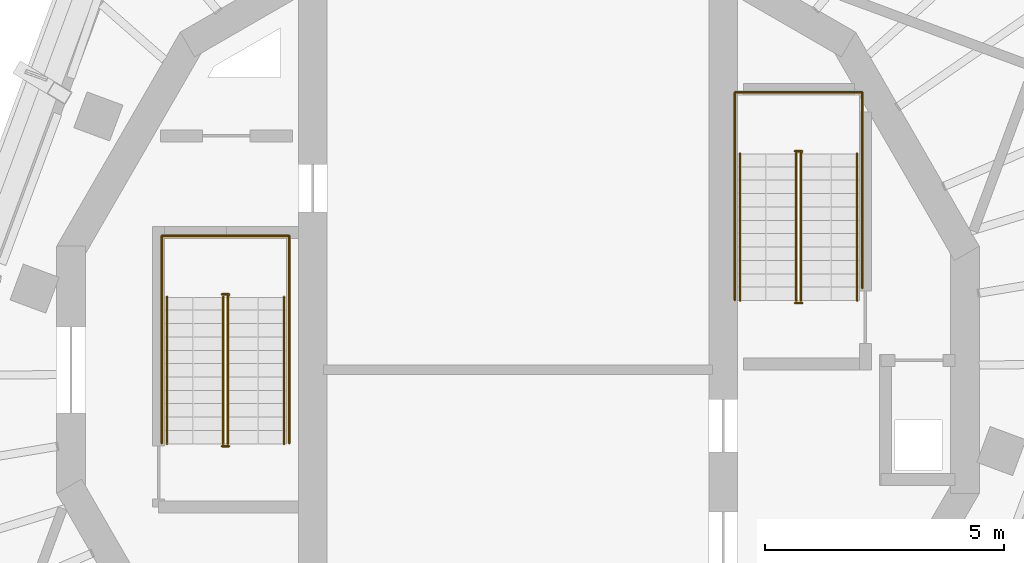
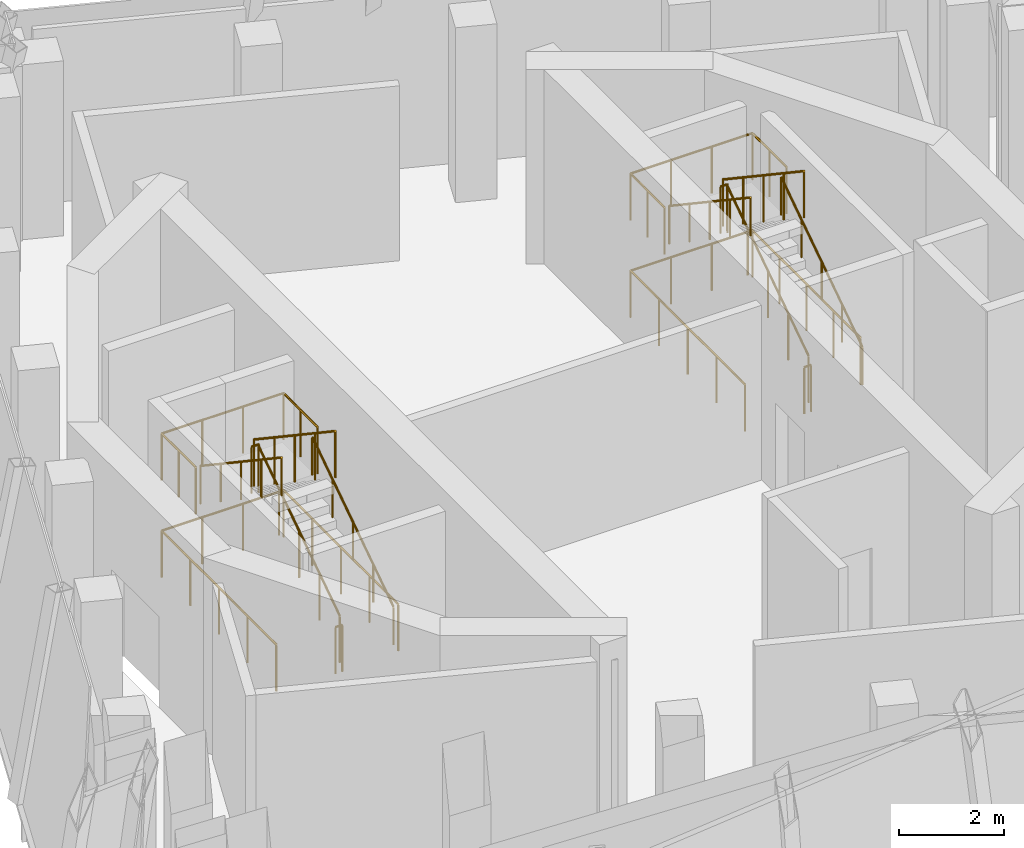
# One storey, part 11 of 11: 14 railings.
"""IFC4 building model written with IfcOpenShell, lengths in metres."""

from ifc_helpers import new_model, si_unit, direction, frame, origin, origin_2d, place, context, subcontext, project, spatial, circle, extrude, material, type_object, element, save


model = new_model("IFC4")

# Units and contexts
model_context = context("Model", 3, precision=1e-05, world=origin(), true_north=direction((0.0, 1.0)))
body_context = subcontext(model_context, "Body", "Model", "MODEL_VIEW")
ifc_project = project(units=[si_unit("LENGTHUNIT", "METRE"), si_unit("AREAUNIT", "SQUARE_METRE"), si_unit("VOLUMEUNIT", "CUBIC_METRE"), si_unit("PLANEANGLEUNIT", "RADIAN"), si_unit("MASSUNIT", "GRAM", prefix="KILO")], contexts=[model_context])

# Site, building, storey
site_placement = place(None, origin())
site = spatial("IfcSite", under=ifc_project, at=site_placement, CompositionType="ELEMENT")
building_placement = place(site_placement, origin())
building = spatial("IfcBuilding", under=site, at=building_placement, Name="Cantera Rosa Tower", CompositionType="ELEMENT")
storey_placement = place(building_placement, frame((0.0, 0.0, 365.199951171875)))
storey = spatial("IfcBuildingStorey", under=building, at=storey_placement, Name="L82", CompositionType="ELEMENT", Elevation=365.199951171875)

# Railings
ifc_material_1 = material(Name="Steel S355J2 (EN 10025-2)", Category="steel")
railing_type_1 = type_object("IfcRailingType", Name="STAIR GUARD 1100", PredefinedType="GUARDRAIL", material=ifc_material_1)
railing_1_placement = place(storey_placement, frame((-6.075927734375, -1.550048828125, 0.1875)))
element("IfcRailing", 1, at=railing_1_placement, inside=storey, type_object=railing_type_1, Name="L82 ST-71 stair guard 1", PredefinedType="GUARDRAIL", context=body_context, shape_type="SweptSolid", body=[
    extrude(circle(Radius=0.02392578125, at=origin_2d()), frame((0.0, 0.0, 1.076171875), z_axis=(0.0, 0.830913701846, 0.55640131208), x_axis=(-1.0, 0.0, 0.0)), (0.0, 0.0, 1.0), 3.706787109375),
    extrude(circle(Radius=0.02392578125, at=origin_2d()), frame((0.0, 3.080078125, 3.138671875), z_axis=(0.459305035911, 0.888278607187, 0.0), x_axis=(-0.888278607187, 0.459305035911, 0.0)), (0.0, 0.0, 1.0), 0.056396484375),
    extrude(circle(Radius=0.02392578125, at=origin_2d()), frame((0.02587890625, 3.130126953125, 3.138671875), z_axis=(-1.0, 0.0, 0.0), x_axis=(0.0, -1.0, 0.0)), (0.0, 0.0, 1.0), 0.14990234375),
    extrude(circle(Radius=0.02099609375, at=origin_2d()), origin(), (0.0, 0.0, 1.0), 1.052001953125),
    extrude(circle(Radius=0.02099609375, at=origin_2d()), frame((0.0, 0.77001953125, 0.515625)), (0.0, 0.0, 1.0), 1.052001953125),
    extrude(circle(Radius=0.02099609375, at=origin_2d()), frame((0.0, 1.5400390625, 1.03125)), (0.0, 0.0, 1.0), 1.052001953125),
    extrude(circle(Radius=0.02099609375, at=origin_2d()), frame((0.0, 2.31005859375, 1.546875)), (0.0, 0.0, 1.0), 1.052001953125),
    extrude(circle(Radius=0.02099609375, at=origin_2d()), frame((0.0, 3.080078125, 2.0625)), (0.0, 0.0, 1.0), 1.052001953125),
    extrude(circle(Radius=0.02099609375, at=origin_2d()), frame((0.02587890625, 3.130126953125, 2.0625)), (0.0, 0.0, 1.0), 1.052001953125),
    extrude(circle(Radius=0.02099609375, at=origin_2d()), frame((-0.1240234375, 3.130126953125, 2.0625)), (0.0, 0.0, 1.0), 1.052001953125),
])
railing_2_placement = place(storey_placement, frame((-6.174072265625, 1.530029296875, 2.4375)))
element("IfcRailing", 2, at=railing_2_placement, inside=storey, type_object=railing_type_1, Name="L82 ST-71 stair guard 2", PredefinedType="GUARDRAIL", context=body_context, shape_type="SweptSolid", body=[
    extrude(circle(Radius=0.02392578125, at=origin_2d()), frame((0.0, 0.0, 1.076171875), z_axis=(0.0, -0.830913701846, 0.55640131208), x_axis=(1.0, 0.0, 0.0)), (0.0, 0.0, 1.0), 3.706787109375),
    extrude(circle(Radius=0.02099609375, at=origin_2d()), origin(), (0.0, 0.0, 1.0), 1.052001953125),
    extrude(circle(Radius=0.02099609375, at=origin_2d()), frame((0.0, -0.77001953125, 0.515625)), (0.0, 0.0, 1.0), 1.052001953125),
    extrude(circle(Radius=0.02099609375, at=origin_2d()), frame((0.0, -1.5400390625, 1.03125)), (0.0, 0.0, 1.0), 1.052001953125),
    extrude(circle(Radius=0.02099609375, at=origin_2d()), frame((0.0, -2.31005859375, 1.546875)), (0.0, 0.0, 1.0), 1.052001953125),
    extrude(circle(Radius=0.02099609375, at=origin_2d()), frame((0.0, -3.080078125, 2.0625)), (0.0, 0.0, 1.0), 1.052001953125),
])
railing_3_placement = place(storey_placement, frame((-6.050048828125, -1.60009765625, 0.0)))
element("IfcRailing", 3, at=railing_3_placement, inside=storey, type_object=railing_type_1, Name="L82 ST-71 stair guard 3", PredefinedType="GUARDRAIL", context=body_context, shape_type="SweptSolid", body=[
    extrude(circle(Radius=0.02392578125, at=origin_2d()), frame((0.0, 0.0, 1.076171875), z_axis=(-1.0, 0.0, 0.0), x_axis=(0.0, -1.0, 0.0)), (0.0, 0.0, 1.0), 0.14990234375),
    extrude(circle(Radius=0.02099609375, at=origin_2d()), origin(), (0.0, 0.0, 1.0), 1.052001953125),
    extrude(circle(Radius=0.02099609375, at=origin_2d()), frame((-0.14990234375, 0.0, 0.0)), (0.0, 0.0, 1.0), 1.052001953125),
])
railing_4_placement = place(storey_placement, frame((-4.7900390625, -1.5380859375, 0.0)))
element("IfcRailing", 4, at=railing_4_placement, inside=storey, type_object=railing_type_1, Name="L82 ST-71 stair guard 4", PredefinedType="GUARDRAIL", context=body_context, shape_type="SweptSolid", body=[
    extrude(circle(Radius=0.02392578125, at=origin_2d()), frame((0.0, 0.0, 1.076171875), z_axis=(0.0, 1.0, 0.0), x_axis=(-1.0, 0.0, 0.0)), (0.0, 0.0, 1.0), 4.34814453125),
    extrude(circle(Radius=0.02392578125, at=origin_2d()), frame((0.0, 4.34814453125, 1.076171875), z_axis=(-1.0, 0.0, 0.0), x_axis=(0.0, -1.0, 0.0)), (0.0, 0.0, 1.0), 2.669921875),
    extrude(circle(Radius=0.02392578125, at=origin_2d()), frame((-2.669921875, 4.34814453125, 1.076171875), z_axis=(0.0, -1.0, 0.0), x_axis=(1.0, 0.0, 0.0)), (0.0, 0.0, 1.0), 4.34814453125),
    extrude(circle(Radius=0.02099609375, at=origin_2d()), origin(), (0.0, 0.0, 1.0), 1.052001953125),
    extrude(circle(Radius=0.02099609375, at=origin_2d()), frame((0.0, 1.0869140625, 0.0)), (0.0, 0.0, 1.0), 1.052001953125),
    extrude(circle(Radius=0.02099609375, at=origin_2d()), frame((0.0, 2.174072265625, 0.0)), (0.0, 0.0, 1.0), 1.052001953125),
    extrude(circle(Radius=0.02099609375, at=origin_2d()), frame((0.0, 3.26123046875, 0.0)), (0.0, 0.0, 1.0), 1.052001953125),
    extrude(circle(Radius=0.02099609375, at=origin_2d()), frame((0.0, 4.34814453125, 0.0)), (0.0, 0.0, 1.0), 1.052001953125),
    extrude(circle(Radius=0.02099609375, at=origin_2d()), frame((-0.889892578125, 4.34814453125, 0.0)), (0.0, 0.0, 1.0), 1.052001953125),
    extrude(circle(Radius=0.02099609375, at=origin_2d()), frame((-1.780029296875, 4.34814453125, 0.0)), (0.0, 0.0, 1.0), 1.052001953125),
    extrude(circle(Radius=0.02099609375, at=origin_2d()), frame((-2.669921875, 4.34814453125, 0.0)), (0.0, 0.0, 1.0), 1.052001953125),
    extrude(circle(Radius=0.02099609375, at=origin_2d()), frame((-2.669921875, 3.26123046875, 0.0)), (0.0, 0.0, 1.0), 1.052001953125),
    extrude(circle(Radius=0.02099609375, at=origin_2d()), frame((-2.669921875, 2.174072265625, 0.0)), (0.0, 0.0, 1.0), 1.052001953125),
    extrude(circle(Radius=0.02099609375, at=origin_2d()), frame((-2.669921875, 1.0869140625, 0.0)), (0.0, 0.0, 1.0), 1.052001953125),
    extrude(circle(Radius=0.02099609375, at=origin_2d()), frame((-2.669921875, 0.0, 0.0)), (0.0, 0.0, 1.0), 1.052001953125),
])
railing_5_placement = place(storey_placement, frame((-4.7900390625, 1.51806640625, 2.25)))
element("IfcRailing", 5, at=railing_5_placement, inside=storey, type_object=railing_type_1, Name="L82 ST-71 stair guard 5", PredefinedType="GUARDRAIL", context=body_context, shape_type="SweptSolid", body=[
    extrude(circle(Radius=0.02392578125, at=origin_2d()), frame((0.0, 0.0, 1.076171875), z_axis=(0.0, 1.0, 0.0), x_axis=(-1.0, 0.0, 0.0)), (0.0, 0.0, 1.0), 1.2919921875),
    extrude(circle(Radius=0.02392578125, at=origin_2d()), frame((0.0, 1.2919921875, 1.076171875), z_axis=(-1.0, 0.0, 0.0), x_axis=(0.0, -1.0, 0.0)), (0.0, 0.0, 1.0), 2.669921875),
    extrude(circle(Radius=0.02392578125, at=origin_2d()), frame((-2.669921875, 1.2919921875, 1.076171875), z_axis=(0.0, -1.0, 0.0), x_axis=(1.0, 0.0, 0.0)), (0.0, 0.0, 1.0), 1.2919921875),
    extrude(circle(Radius=0.02099609375, at=origin_2d()), origin(), (0.0, 0.0, 1.0), 1.052001953125),
    extrude(circle(Radius=0.02099609375, at=origin_2d()), frame((0.0, 0.64599609375, 0.0)), (0.0, 0.0, 1.0), 1.052001953125),
    extrude(circle(Radius=0.02099609375, at=origin_2d()), frame((0.0, 1.2919921875, 0.0)), (0.0, 0.0, 1.0), 1.052001953125),
    extrude(circle(Radius=0.02099609375, at=origin_2d()), frame((-0.889892578125, 1.2919921875, 0.0)), (0.0, 0.0, 1.0), 1.052001953125),
    extrude(circle(Radius=0.02099609375, at=origin_2d()), frame((-1.780029296875, 1.2919921875, 0.0)), (0.0, 0.0, 1.0), 1.052001953125),
    extrude(circle(Radius=0.02099609375, at=origin_2d()), frame((-2.669921875, 1.2919921875, 0.0)), (0.0, 0.0, 1.0), 1.052001953125),
    extrude(circle(Radius=0.02099609375, at=origin_2d()), frame((-2.669921875, 0.64599609375, 0.0)), (0.0, 0.0, 1.0), 1.052001953125),
    extrude(circle(Radius=0.02099609375, at=origin_2d()), frame((-2.669921875, 0.0, 0.0)), (0.0, 0.0, 1.0), 1.052001953125),
])
railing_6_placement = place(storey_placement, frame((5.924072265625, 1.449951171875, 0.1875)))
element("IfcRailing", 6, at=railing_6_placement, inside=storey, type_object=railing_type_1, Name="L82 ST-72 stair guard 1", PredefinedType="GUARDRAIL", context=body_context, shape_type="SweptSolid", body=[
    extrude(circle(Radius=0.02392578125, at=origin_2d()), frame((0.0, 0.0, 1.076171875), z_axis=(0.0, 0.830913701846, 0.55640131208), x_axis=(-1.0, 0.0, 0.0)), (0.0, 0.0, 1.0), 3.706787109375),
    extrude(circle(Radius=0.02392578125, at=origin_2d()), frame((0.0, 3.080078125, 3.138671875), z_axis=(0.459305035911, 0.888278607187, 0.0), x_axis=(-0.888278607187, 0.459305035911, 0.0)), (0.0, 0.0, 1.0), 0.056396484375),
    extrude(circle(Radius=0.02392578125, at=origin_2d()), frame((0.02587890625, 3.130126953125, 3.138671875), z_axis=(-1.0, 0.0, 0.0), x_axis=(0.0, -1.0, 0.0)), (0.0, 0.0, 1.0), 0.14990234375),
    extrude(circle(Radius=0.02099609375, at=origin_2d()), origin(), (0.0, 0.0, 1.0), 1.052001953125),
    extrude(circle(Radius=0.02099609375, at=origin_2d()), frame((0.0, 0.77001953125, 0.515625)), (0.0, 0.0, 1.0), 1.052001953125),
    extrude(circle(Radius=0.02099609375, at=origin_2d()), frame((0.0, 1.5400390625, 1.03125)), (0.0, 0.0, 1.0), 1.052001953125),
    extrude(circle(Radius=0.02099609375, at=origin_2d()), frame((0.0, 2.31005859375, 1.546875)), (0.0, 0.0, 1.0), 1.052001953125),
    extrude(circle(Radius=0.02099609375, at=origin_2d()), frame((0.0, 3.080078125, 2.0625)), (0.0, 0.0, 1.0), 1.052001953125),
    extrude(circle(Radius=0.02099609375, at=origin_2d()), frame((0.02587890625, 3.130126953125, 2.0625)), (0.0, 0.0, 1.0), 1.052001953125),
    extrude(circle(Radius=0.02099609375, at=origin_2d()), frame((-0.1240234375, 3.130126953125, 2.0625)), (0.0, 0.0, 1.0), 1.052001953125),
])
railing_7_placement = place(storey_placement, frame((5.825927734375, 4.530029296875, 2.4375)))
element("IfcRailing", 7, at=railing_7_placement, inside=storey, type_object=railing_type_1, Name="L82 ST-72 stair guard 2", PredefinedType="GUARDRAIL", context=body_context, shape_type="SweptSolid", body=[
    extrude(circle(Radius=0.02392578125, at=origin_2d()), frame((0.0, 0.0, 1.076171875), z_axis=(0.0, -0.830913701846, 0.55640131208), x_axis=(1.0, 0.0, 0.0)), (0.0, 0.0, 1.0), 3.706787109375),
    extrude(circle(Radius=0.02099609375, at=origin_2d()), origin(), (0.0, 0.0, 1.0), 1.052001953125),
    extrude(circle(Radius=0.02099609375, at=origin_2d()), frame((0.0, -0.77001953125, 0.515625)), (0.0, 0.0, 1.0), 1.052001953125),
    extrude(circle(Radius=0.02099609375, at=origin_2d()), frame((0.0, -1.5400390625, 1.03125)), (0.0, 0.0, 1.0), 1.052001953125),
    extrude(circle(Radius=0.02099609375, at=origin_2d()), frame((0.0, -2.31005859375, 1.546875)), (0.0, 0.0, 1.0), 1.052001953125),
    extrude(circle(Radius=0.02099609375, at=origin_2d()), frame((0.0, -3.080078125, 2.0625)), (0.0, 0.0, 1.0), 1.052001953125),
])
railing_8_placement = place(storey_placement, frame((5.949951171875, 1.39990234375, 0.0)))
element("IfcRailing", 8, at=railing_8_placement, inside=storey, type_object=railing_type_1, Name="L82 ST-72 stair guard 3", PredefinedType="GUARDRAIL", context=body_context, shape_type="SweptSolid", body=[
    extrude(circle(Radius=0.02392578125, at=origin_2d()), frame((0.0, 0.0, 1.076171875), z_axis=(-1.0, 0.0, 0.0), x_axis=(0.0, -1.0, 0.0)), (0.0, 0.0, 1.0), 0.14990234375),
    extrude(circle(Radius=0.02099609375, at=origin_2d()), origin(), (0.0, 0.0, 1.0), 1.052001953125),
    extrude(circle(Radius=0.02099609375, at=origin_2d()), frame((-0.14990234375, 0.0, 0.0)), (0.0, 0.0, 1.0), 1.052001953125),
])
railing_9_placement = place(storey_placement, frame((7.2099609375, 1.7099609375, 0.0)))
element("IfcRailing", 9, at=railing_9_placement, inside=storey, type_object=railing_type_1, Name="L82 ST-72 stair guard 4", PredefinedType="GUARDRAIL", context=body_context, shape_type="SweptSolid", body=[
    extrude(circle(Radius=0.02392578125, at=origin_2d()), frame((0.0, 0.0, 1.076171875), z_axis=(0.0, 1.0, 0.0), x_axis=(-1.0, 0.0, 0.0)), (0.0, 0.0, 1.0), 4.10009765625),
    extrude(circle(Radius=0.02392578125, at=origin_2d()), frame((0.0, 4.10009765625, 1.076171875), z_axis=(-1.0, 0.0, 0.0), x_axis=(0.0, -1.0, 0.0)), (0.0, 0.0, 1.0), 2.669921875),
    extrude(circle(Radius=0.02392578125, at=origin_2d()), frame((-2.669921875, 4.10009765625, 1.076171875), z_axis=(0.0, -1.0, 0.0), x_axis=(1.0, 0.0, 0.0)), (0.0, 0.0, 1.0), 4.34814453125),
    extrude(circle(Radius=0.02099609375, at=origin_2d()), origin(), (0.0, 0.0, 1.0), 1.052001953125),
    extrude(circle(Radius=0.02099609375, at=origin_2d()), frame((0.0, 1.02490234375, 0.0)), (0.0, 0.0, 1.0), 1.052001953125),
    extrude(circle(Radius=0.02099609375, at=origin_2d()), frame((0.0, 2.050048828125, 0.0)), (0.0, 0.0, 1.0), 1.052001953125),
    extrude(circle(Radius=0.02099609375, at=origin_2d()), frame((0.0, 3.0751953125, 0.0)), (0.0, 0.0, 1.0), 1.052001953125),
    extrude(circle(Radius=0.02099609375, at=origin_2d()), frame((0.0, 4.10009765625, 0.0)), (0.0, 0.0, 1.0), 1.052001953125),
    extrude(circle(Radius=0.02099609375, at=origin_2d()), frame((-0.889892578125, 4.10009765625, 0.0)), (0.0, 0.0, 1.0), 1.052001953125),
    extrude(circle(Radius=0.02099609375, at=origin_2d()), frame((-1.780029296875, 4.10009765625, 0.0)), (0.0, 0.0, 1.0), 1.052001953125),
    extrude(circle(Radius=0.02099609375, at=origin_2d()), frame((-2.669921875, 4.10009765625, 0.0)), (0.0, 0.0, 1.0), 1.052001953125),
    extrude(circle(Radius=0.02099609375, at=origin_2d()), frame((-2.669921875, 3.01318359375, 0.0)), (0.0, 0.0, 1.0), 1.052001953125),
    extrude(circle(Radius=0.02099609375, at=origin_2d()), frame((-2.669921875, 1.926025390625, 0.0)), (0.0, 0.0, 1.0), 1.052001953125),
    extrude(circle(Radius=0.02099609375, at=origin_2d()), frame((-2.669921875, 0.8388671875, 0.0)), (0.0, 0.0, 1.0), 1.052001953125),
    extrude(circle(Radius=0.02099609375, at=origin_2d()), frame((-2.669921875, -0.248046875, 0.0)), (0.0, 0.0, 1.0), 1.052001953125),
])
railing_10_placement = place(storey_placement, frame((7.2099609375, 4.51806640625, 2.25)))
element("IfcRailing", 10, at=railing_10_placement, inside=storey, type_object=railing_type_1, Name="L82 ST-72 stair guard 5", PredefinedType="GUARDRAIL", context=body_context, shape_type="SweptSolid", body=[
    extrude(circle(Radius=0.02392578125, at=origin_2d()), frame((0.0, 0.0, 1.076171875), z_axis=(0.0, 1.0, 0.0), x_axis=(-1.0, 0.0, 0.0)), (0.0, 0.0, 1.0), 1.2919921875),
    extrude(circle(Radius=0.02392578125, at=origin_2d()), frame((0.0, 1.2919921875, 1.076171875), z_axis=(-1.0, 0.0, 0.0), x_axis=(0.0, -1.0, 0.0)), (0.0, 0.0, 1.0), 2.669921875),
    extrude(circle(Radius=0.02392578125, at=origin_2d()), frame((-2.669921875, 1.2919921875, 1.076171875), z_axis=(0.0, -1.0, 0.0), x_axis=(1.0, 0.0, 0.0)), (0.0, 0.0, 1.0), 1.2919921875),
    extrude(circle(Radius=0.02099609375, at=origin_2d()), origin(), (0.0, 0.0, 1.0), 1.052001953125),
    extrude(circle(Radius=0.02099609375, at=origin_2d()), frame((0.0, 0.64599609375, 0.0)), (0.0, 0.0, 1.0), 1.052001953125),
    extrude(circle(Radius=0.02099609375, at=origin_2d()), frame((0.0, 1.2919921875, 0.0)), (0.0, 0.0, 1.0), 1.052001953125),
    extrude(circle(Radius=0.02099609375, at=origin_2d()), frame((-0.889892578125, 1.2919921875, 0.0)), (0.0, 0.0, 1.0), 1.052001953125),
    extrude(circle(Radius=0.02099609375, at=origin_2d()), frame((-1.780029296875, 1.2919921875, 0.0)), (0.0, 0.0, 1.0), 1.052001953125),
    extrude(circle(Radius=0.02099609375, at=origin_2d()), frame((-2.669921875, 1.2919921875, 0.0)), (0.0, 0.0, 1.0), 1.052001953125),
    extrude(circle(Radius=0.02099609375, at=origin_2d()), frame((-2.669921875, 0.64599609375, 0.0)), (0.0, 0.0, 1.0), 1.052001953125),
    extrude(circle(Radius=0.02099609375, at=origin_2d()), frame((-2.669921875, 0.0, 0.0)), (0.0, 0.0, 1.0), 1.052001953125),
])
ifc_material_2 = material(Name="Steel S355J2 (EN 10025-2)", Category="steel")
railing_type_2 = type_object("IfcRailingType", Name="STAIR HANDRAIL 900", PredefinedType="HANDRAIL", material=ifc_material_2)
railing_11_placement = place(storey_placement, frame((-4.89990234375, -1.550048828125, 0.1875)))
element("IfcRailing", 11, at=railing_11_placement, inside=storey, type_object=railing_type_2, Name="L82 ST-71 stair handrail 1", PredefinedType="HANDRAIL", context=body_context, shape_type="SweptSolid", body=[
    extrude(circle(Radius=0.02392578125, at=origin_2d()), frame((0.0, 0.0, 0.8759765625), z_axis=(0.0, 0.830913701846, 0.55640131208), x_axis=(-1.0, 0.0, 0.0)), (0.0, 0.0, 1.0), 3.706787109375),
    extrude(circle(Radius=0.02099609375, at=origin_2d()), origin(), (0.0, 0.0, 1.0), 0.851806640625),
    extrude(circle(Radius=0.02099609375, at=origin_2d()), frame((0.0, 0.77001953125, 0.515625)), (0.0, 0.0, 1.0), 0.851806640625),
    extrude(circle(Radius=0.02099609375, at=origin_2d()), frame((0.0, 1.5400390625, 1.03125)), (0.0, 0.0, 1.0), 0.851806640625),
    extrude(circle(Radius=0.02099609375, at=origin_2d()), frame((0.0, 2.31005859375, 1.546875)), (0.0, 0.0, 1.0), 0.851806640625),
    extrude(circle(Radius=0.02099609375, at=origin_2d()), frame((0.0, 3.080078125, 2.0625)), (0.0, 0.0, 1.0), 0.851806640625),
])
railing_12_placement = place(storey_placement, frame((-7.35009765625, 1.530029296875, 2.4375)))
element("IfcRailing", 12, at=railing_12_placement, inside=storey, type_object=railing_type_2, Name="L82 ST-71 stair handrail 2", PredefinedType="HANDRAIL", context=body_context, shape_type="SweptSolid", body=[
    extrude(circle(Radius=0.02392578125, at=origin_2d()), frame((0.0, 0.0, 0.8759765625), z_axis=(0.0, -0.830913701846, 0.55640131208), x_axis=(1.0, 0.0, 0.0)), (0.0, 0.0, 1.0), 3.706787109375),
    extrude(circle(Radius=0.02099609375, at=origin_2d()), origin(), (0.0, 0.0, 1.0), 0.851806640625),
    extrude(circle(Radius=0.02099609375, at=origin_2d()), frame((0.0, -0.77001953125, 0.515625)), (0.0, 0.0, 1.0), 0.851806640625),
    extrude(circle(Radius=0.02099609375, at=origin_2d()), frame((0.0, -1.5400390625, 1.03125)), (0.0, 0.0, 1.0), 0.851806640625),
    extrude(circle(Radius=0.02099609375, at=origin_2d()), frame((0.0, -2.31005859375, 1.546875)), (0.0, 0.0, 1.0), 0.851806640625),
    extrude(circle(Radius=0.02099609375, at=origin_2d()), frame((0.0, -3.080078125, 2.0625)), (0.0, 0.0, 1.0), 0.851806640625),
])
railing_13_placement = place(storey_placement, frame((7.10009765625, 1.449951171875, 0.1875)))
element("IfcRailing", 13, at=railing_13_placement, inside=storey, type_object=railing_type_2, Name="L82 ST-72 stair handrail 1", PredefinedType="HANDRAIL", context=body_context, shape_type="SweptSolid", body=[
    extrude(circle(Radius=0.02392578125, at=origin_2d()), frame((0.0, 0.0, 0.8759765625), z_axis=(0.0, 0.830913701846, 0.55640131208), x_axis=(-1.0, 0.0, 0.0)), (0.0, 0.0, 1.0), 3.706787109375),
    extrude(circle(Radius=0.02099609375, at=origin_2d()), origin(), (0.0, 0.0, 1.0), 0.851806640625),
    extrude(circle(Radius=0.02099609375, at=origin_2d()), frame((0.0, 0.77001953125, 0.515625)), (0.0, 0.0, 1.0), 0.851806640625),
    extrude(circle(Radius=0.02099609375, at=origin_2d()), frame((0.0, 1.5400390625, 1.03125)), (0.0, 0.0, 1.0), 0.851806640625),
    extrude(circle(Radius=0.02099609375, at=origin_2d()), frame((0.0, 2.31005859375, 1.546875)), (0.0, 0.0, 1.0), 0.851806640625),
    extrude(circle(Radius=0.02099609375, at=origin_2d()), frame((0.0, 3.080078125, 2.0625)), (0.0, 0.0, 1.0), 0.851806640625),
])
railing_14_placement = place(storey_placement, frame((4.64990234375, 4.530029296875, 2.4375)))
element("IfcRailing", 14, at=railing_14_placement, inside=storey, type_object=railing_type_2, Name="L82 ST-72 stair handrail 2", PredefinedType="HANDRAIL", context=body_context, shape_type="SweptSolid", body=[
    extrude(circle(Radius=0.02392578125, at=origin_2d()), frame((0.0, 0.0, 0.8759765625), z_axis=(0.0, -0.830913701846, 0.55640131208), x_axis=(1.0, 0.0, 0.0)), (0.0, 0.0, 1.0), 3.706787109375),
    extrude(circle(Radius=0.02099609375, at=origin_2d()), origin(), (0.0, 0.0, 1.0), 0.851806640625),
    extrude(circle(Radius=0.02099609375, at=origin_2d()), frame((0.0, -0.77001953125, 0.515625)), (0.0, 0.0, 1.0), 0.851806640625),
    extrude(circle(Radius=0.02099609375, at=origin_2d()), frame((0.0, -1.5400390625, 1.03125)), (0.0, 0.0, 1.0), 0.851806640625),
    extrude(circle(Radius=0.02099609375, at=origin_2d()), frame((0.0, -2.31005859375, 1.546875)), (0.0, 0.0, 1.0), 0.851806640625),
    extrude(circle(Radius=0.02099609375, at=origin_2d()), frame((0.0, -3.080078125, 2.0625)), (0.0, 0.0, 1.0), 0.851806640625),
])

save(model, "model.ifc")
